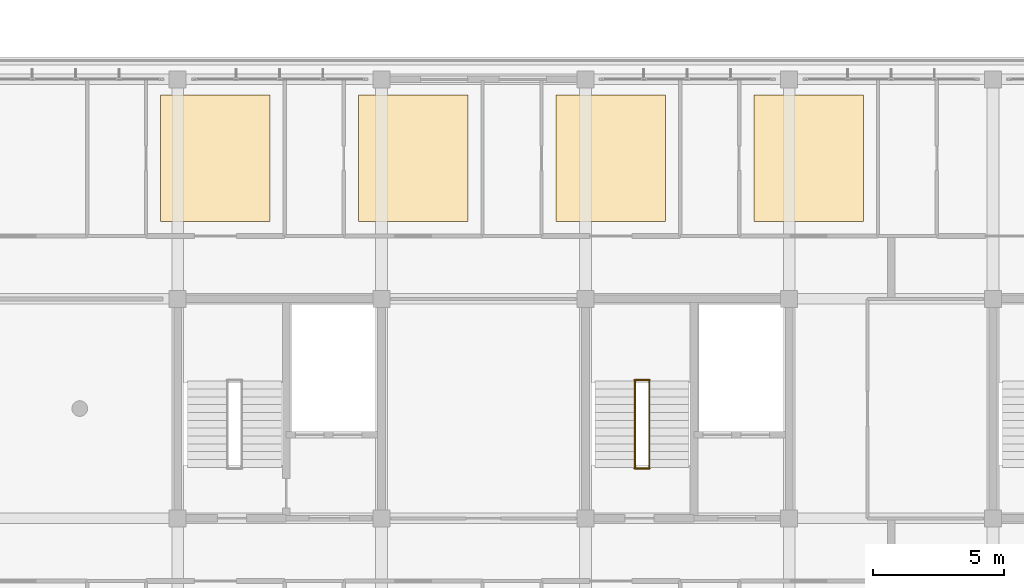
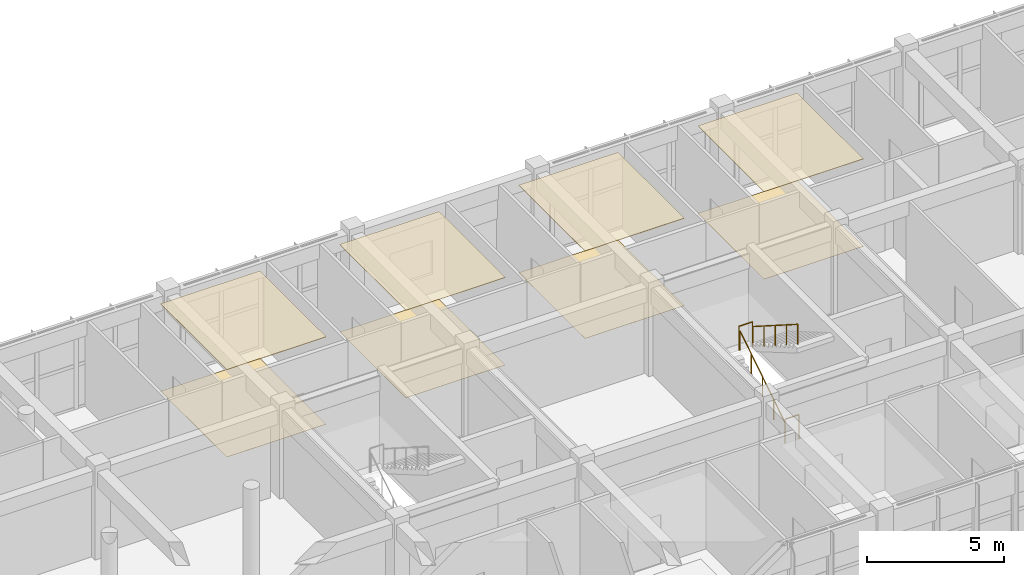
# One storey, part 59 of 63: 8 coverings, 4 railings.
"""IFC4 building model written with IfcOpenShell, lengths in metres."""

from ifc_helpers import new_model, si_unit, direction, frame, origin, origin_2d, place, context, subcontext, project, spatial, polyline, circle, hollow_circle, outline, extrude, material, layer, layer_set, material_profile, profile_set, type_object, element, save


model = new_model("IFC4")

# Units and contexts
model_context = context("Model", 3, precision=1e-05, world=origin(), true_north=direction((0.0, 1.0)))
body_context = subcontext(model_context, "Body", "Model", "MODEL_VIEW")
ifc_project = project(units=[si_unit("LENGTHUNIT", "METRE"), si_unit("AREAUNIT", "SQUARE_METRE"), si_unit("VOLUMEUNIT", "CUBIC_METRE"), si_unit("PLANEANGLEUNIT", "RADIAN"), si_unit("MASSUNIT", "GRAM", prefix="KILO")], contexts=[model_context])

# Site, building, storey
site_placement = place(None, origin())
site = spatial("IfcSite", under=ifc_project, at=site_placement, CompositionType="ELEMENT")
building_placement = place(site_placement, origin())
building = spatial("IfcBuilding", under=site, at=building_placement, Name="Zizhar Promenade General Hospital", CompositionType="ELEMENT")
storey_placement = place(building_placement, frame((0.0, 0.0, 18.0)))
storey = spatial("IfcBuildingStorey", under=building, at=storey_placement, Name="L04", CompositionType="ELEMENT", Elevation=18.0)

# Coverings
ifc_material_1 = material(Name="Hygienic acoustic mineral ceiling tile")
ifc_layer_1 = layer(ifc_material_1, 0.02001953125)
ifc_layer_set_1 = layer_set([ifc_layer_1], Name="Hygienic acoustic mineral ceiling tile")
covering_type_1 = type_object("IfcCoveringType", Name="COV-CLG-ACOUST-20", PredefinedType="CEILING", material=ifc_layer_set_1)
covering_1_placement = place(storey_placement, frame((0.0, 0.0, 3.89990234375)))
element("IfcCovering", 1, at=covering_1_placement, inside=storey, type_object=covering_type_1, Name="Acute Medical Inpatient Ward L04-N04 Hygienic Ceiling", PredefinedType="CEILING", context=body_context, shape_type="SweptSolid", body=[
    extrude(outline(polyline([(53.7099609375, 19.75), (57.906982421875, 19.75), (57.906982421875, 24.60498046875), (53.7099609375, 24.60498046875), (53.7099609375, 19.75)])), origin(), (0.0, 0.0, 1.0), 0.02001953125),
])
covering_2_placement = place(storey_placement, frame((0.0, 0.0, 3.89990234375)))
element("IfcCovering", 2, at=covering_2_placement, inside=storey, type_object=covering_type_1, Name="Acute Medical Inpatient Ward L04-N06 Hygienic Ceiling", PredefinedType="CEILING", context=body_context, shape_type="SweptSolid", body=[
    extrude(outline(polyline([(68.843017578125, 19.75), (73.0400390625, 19.75), (73.0400390625, 24.60498046875), (68.843017578125, 24.60498046875), (68.843017578125, 19.75)])), origin(), (0.0, 0.0, 1.0), 0.02001953125),
])
ifc_material_2 = material(Name="Acoustic cleanroom metal ceiling panel")
ifc_layer_2 = layer(ifc_material_2, 0.02490234375)
ifc_layer_set_2 = layer_set([ifc_layer_2], Name="Acoustic cleanroom metal ceiling panel")
covering_type_2 = type_object("IfcCoveringType", Name="COV-CLG-CLEAN-25", PredefinedType="CEILING", material=ifc_layer_set_2)
covering_3_placement = place(storey_placement, frame((0.0, 0.0, 3.89501953125)))
element("IfcCovering", 3, at=covering_3_placement, inside=storey, type_object=covering_type_2, Name="Intensive Care Step-Down L04-N03 Hygienic Ceiling", PredefinedType="CEILING", context=body_context, shape_type="SweptSolid", body=[
    extrude(outline(polyline([(46.14306640625, 19.75), (50.340087890625, 19.75), (50.340087890625, 24.60498046875), (46.14306640625, 24.60498046875), (46.14306640625, 19.75)])), origin(), (0.0, 0.0, 1.0), 0.02490234375),
])
covering_4_placement = place(storey_placement, frame((0.0, 0.0, 3.89501953125)))
element("IfcCovering", 4, at=covering_4_placement, inside=storey, type_object=covering_type_2, Name="Intensive Care Step-Down L04-N05 Hygienic Ceiling", PredefinedType="CEILING", context=body_context, shape_type="SweptSolid", body=[
    extrude(outline(polyline([(61.277099609375, 19.75), (65.472900390625, 19.75), (65.472900390625, 24.60498046875), (61.277099609375, 24.60498046875), (61.277099609375, 19.75)])), origin(), (0.0, 0.0, 1.0), 0.02490234375),
])
ifc_material_3 = material(Name="Seamless antimicrobial vinyl flooring")
ifc_layer_3 = layer(ifc_material_3, 0.008056640625)
ifc_layer_set_3 = layer_set([ifc_layer_3], Name="Seamless antimicrobial vinyl flooring")
covering_type_3 = type_object("IfcCoveringType", Name="COV-FLR-VINYL-08", PredefinedType="FLOORING", material=ifc_layer_set_3)
covering_5_placement = place(storey_placement, origin())
element("IfcCovering", 5, at=covering_5_placement, inside=storey, type_object=covering_type_3, Name="Intensive Care Step-Down L04-N03 Clinical Flooring", PredefinedType="FLOORING", context=body_context, shape_type="SweptSolid", body=[
    extrude(outline(polyline([(46.14306640625, 19.75), (50.340087890625, 19.75), (50.340087890625, 24.60498046875), (46.14306640625, 24.60498046875), (46.14306640625, 19.75)])), origin(), (0.0, 0.0, 1.0), 0.008056640625),
])
covering_6_placement = place(storey_placement, origin())
element("IfcCovering", 6, at=covering_6_placement, inside=storey, type_object=covering_type_3, Name="Acute Medical Inpatient Ward L04-N04 Clinical Flooring", PredefinedType="FLOORING", context=body_context, shape_type="SweptSolid", body=[
    extrude(outline(polyline([(53.7099609375, 19.75), (57.906982421875, 19.75), (57.906982421875, 24.60498046875), (53.7099609375, 24.60498046875), (53.7099609375, 19.75)])), origin(), (0.0, 0.0, 1.0), 0.008056640625),
])
covering_7_placement = place(storey_placement, origin())
element("IfcCovering", 7, at=covering_7_placement, inside=storey, type_object=covering_type_3, Name="Intensive Care Step-Down L04-N05 Clinical Flooring", PredefinedType="FLOORING", context=body_context, shape_type="SweptSolid", body=[
    extrude(outline(polyline([(61.277099609375, 19.75), (65.472900390625, 19.75), (65.472900390625, 24.60498046875), (61.277099609375, 24.60498046875), (61.277099609375, 19.75)])), origin(), (0.0, 0.0, 1.0), 0.008056640625),
])
covering_8_placement = place(storey_placement, origin())
element("IfcCovering", 8, at=covering_8_placement, inside=storey, type_object=covering_type_3, Name="Acute Medical Inpatient Ward L04-N06 Clinical Flooring", PredefinedType="FLOORING", context=body_context, shape_type="SweptSolid", body=[
    extrude(outline(polyline([(68.843017578125, 19.75), (73.0400390625, 19.75), (73.0400390625, 24.60498046875), (68.843017578125, 24.60498046875), (68.843017578125, 19.75)])), origin(), (0.0, 0.0, 1.0), 0.008056640625),
])

# Railings
ifc_material_4 = material(Name="Anodised aluminium 6063-T6", Category="aluminium")
ifc_material_profile_1 = material_profile(ifc_material_4, hollow_circle(Radius=0.06982421875, WallThickness=0.00634765625, at=origin_2d()))
ifc_profile_set_1 = profile_set([ifc_material_profile_1], Name="Anodised aluminium 6063-T6")
railing_type_1 = type_object("IfcRailingType", Name="RL-HANDRAIL-920", PredefinedType="HANDRAIL", material=ifc_profile_set_1)
railing_1_placement = place(storey_placement, frame((64.300048828125, 10.35009765625, 0.0)))
element("IfcRailing", 9, at=railing_1_placement, inside=storey, type_object=railing_type_1, Name="Stair ST-03 Flight 1 Handrail (L04)", PredefinedType="HANDRAIL", context=body_context, shape_type="SweptSolid", body=[
    extrude(circle(Radius=0.02392578125, at=origin_2d()), frame((0.0, 0.0, 0.89599609375), z_axis=(0.0, 0.843635785416, 0.536915879413), x_axis=(-1.0, 0.0, 0.0)), (0.0, 0.0, 1.0), 3.911376953125),
    extrude(circle(Radius=0.02099609375, at=origin_2d()), origin(), (0.0, 0.0, 1.0), 0.871826171875),
    extrude(circle(Radius=0.02099609375, at=origin_2d()), frame((0.0, 0.824951171875, 0.52490234375)), (0.0, 0.0, 1.0), 0.871826171875),
    extrude(circle(Radius=0.02099609375, at=origin_2d()), frame((0.0, 1.64990234375, 1.050048828125)), (0.0, 0.0, 1.0), 0.871826171875),
    extrude(circle(Radius=0.02099609375, at=origin_2d()), frame((0.0, 2.474853515625, 1.5751953125)), (0.0, 0.0, 1.0), 0.871826171875),
    extrude(circle(Radius=0.02099609375, at=origin_2d()), frame((0.0, 3.2998046875, 2.10009765625)), (0.0, 0.0, 1.0), 0.871826171875),
])
railing_2_placement = place(storey_placement, frame((64.840087890625, 13.64990234375, 2.10009765625)))
element("IfcRailing", 10, at=railing_2_placement, inside=storey, type_object=railing_type_1, Name="Stair ST-03 Flight 2 Handrail (L04)", PredefinedType="HANDRAIL", context=body_context, shape_type="SweptSolid", body=[
    extrude(circle(Radius=0.02392578125, at=origin_2d()), frame((0.0, 0.0, 0.89599609375), z_axis=(0.0, -0.843664057944, 0.536871453268), x_axis=(1.0, 0.0, 0.0)), (0.0, 0.0, 1.0), 3.911376953125),
    extrude(circle(Radius=0.02099609375, at=origin_2d()), origin(), (0.0, 0.0, 1.0), 0.871826171875),
    extrude(circle(Radius=0.02099609375, at=origin_2d()), frame((0.0, -0.824951171875, 0.52490234375)), (0.0, 0.0, 1.0), 0.871826171875),
    extrude(circle(Radius=0.02099609375, at=origin_2d()), frame((0.0, -1.64990234375, 1.0498046875)), (0.0, 0.0, 1.0), 0.871826171875),
    extrude(circle(Radius=0.02099609375, at=origin_2d()), frame((0.0, -2.474853515625, 1.574951171875)), (0.0, 0.0, 1.0), 0.871826171875),
    extrude(circle(Radius=0.02099609375, at=origin_2d()), frame((0.0, -3.2998046875, 2.099853515625)), (0.0, 0.0, 1.0), 0.871826171875),
])
ifc_material_5 = material(Name="Steel S355", Category="steel")
ifc_material_profile_2 = material_profile(ifc_material_5, hollow_circle(Radius=0.06982421875, WallThickness=0.00634765625, at=origin_2d()))
ifc_profile_set_2 = profile_set([ifc_material_profile_2], Name="Steel S355")
railing_type_2 = type_object("IfcRailingType", Name="RL-STAIR-GUARD-1100", PredefinedType="GUARDRAIL", material=ifc_profile_set_2)
for number, where, name in (
    (11, (64.280029296875, 13.68994140625, 2.10009765625), "Stair ST-03 Half-Landing Guard (L04)"),
    (12, (64.280029296875, 10.31005859375, 0.0), "Stair ST-03 Landing Well Guard (L04)"),
):
    element("IfcRailing", number, at=place(storey_placement, frame(where)), inside=storey, type_object=railing_type_2, Name=name, PredefinedType="GUARDRAIL", context=body_context, shape_type="SweptSolid", body=[
        extrude(circle(Radius=0.02392578125, at=origin_2d()), frame((0.0, 0.0, 1.076171875), z_axis=(1.0, 0.0, 0.0), x_axis=(0.0, 1.0, 0.0)), (0.0, 0.0, 1.0), 0.580078125),
        extrude(circle(Radius=0.02099609375, at=origin_2d()), origin(), (0.0, 0.0, 1.0), 1.052001953125),
        extrude(circle(Radius=0.02099609375, at=origin_2d()), frame((0.580078125, 0.0, 0.0)), (0.0, 0.0, 1.0), 1.052001953125),
    ])

save(model, "model.ifc")
